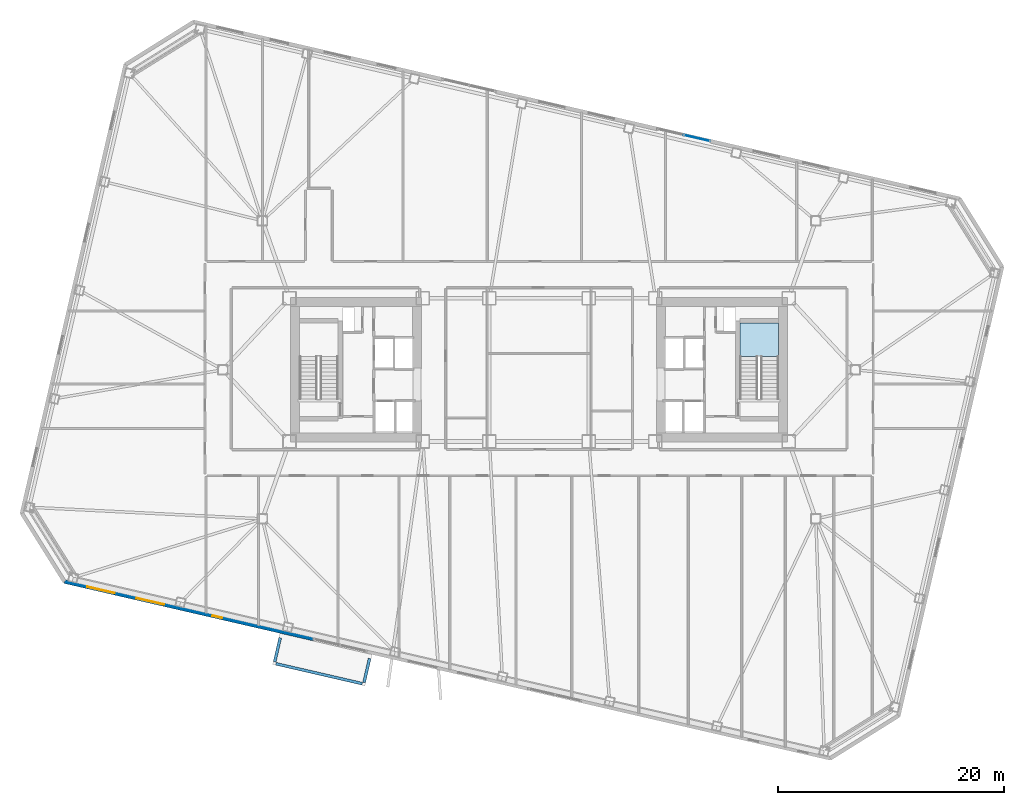
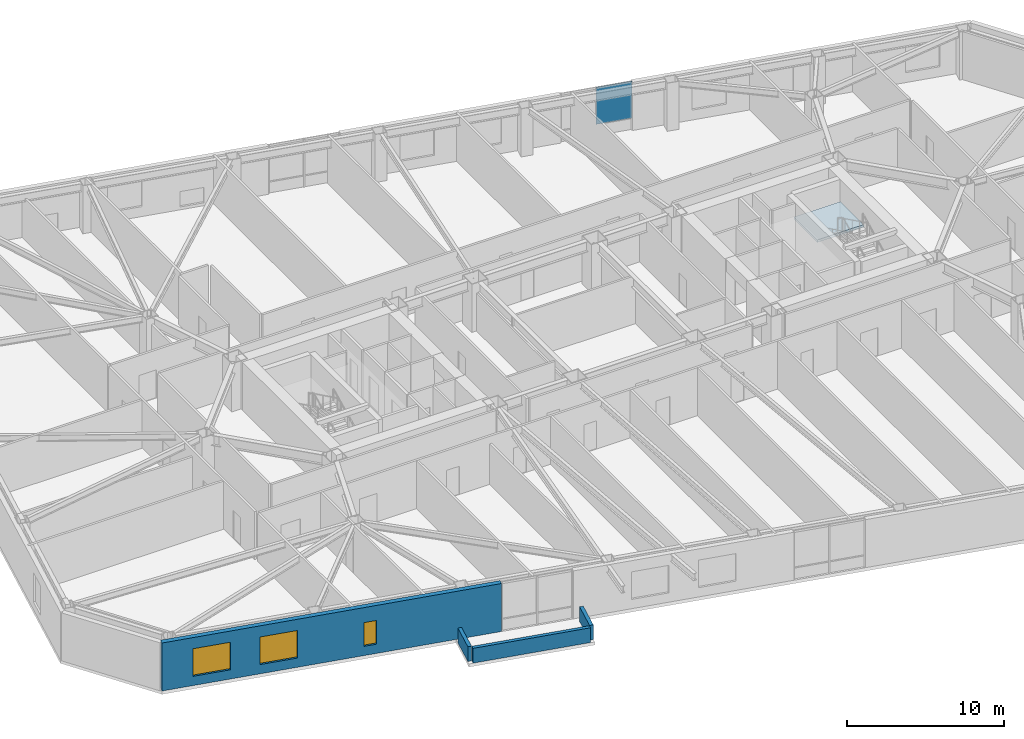
# One storey, part 11 of 22: 4 walls, 3 windows, 1 plate, 1 slab, 3 openings, 2 elements without a shape of their own.
"""IFC4 building model written with IfcOpenShell, lengths in metres."""

from ifc_helpers import new_model, si_unit, direction, frame, frame_2d, origin, origin_2d, place, context, subcontext, project, spatial, polyline, rectangle, outline, extrude, material, layer, layer_set, type_object, element, fill, aggregate, save


model = new_model("IFC4")

# Units and contexts
model_context = context("Model", 3, precision=1e-05, world=origin(), true_north=direction((0.0, 1.0)))
body_context = subcontext(model_context, "Body", "Model", "MODEL_VIEW")
ifc_project = project(units=[si_unit("LENGTHUNIT", "METRE"), si_unit("AREAUNIT", "SQUARE_METRE"), si_unit("VOLUMEUNIT", "CUBIC_METRE"), si_unit("PLANEANGLEUNIT", "RADIAN"), si_unit("MASSUNIT", "GRAM", prefix="KILO")], contexts=[model_context])

# Site, building, storey
site_placement = place(None, origin())
site = spatial("IfcSite", under=ifc_project, at=site_placement, CompositionType="ELEMENT")
building_placement = place(site_placement, origin())
building = spatial("IfcBuilding", under=site, at=building_placement, Name="Tavrogorsk Clinical Tower", CompositionType="ELEMENT")
storey_placement = place(building_placement, frame((0.0, 0.0, 55.39990234375)))
storey = spatial("IfcBuildingStorey", under=building, at=storey_placement, Name="L11", CompositionType="ELEMENT", Elevation=55.39990234375)

# Curtain wall, plate
ifc_material_1 = material(Name="Anodised aluminium and triple IGU glazing", Category="aluminium")
ifc_layer_1 = layer(ifc_material_1, 0.179931640625)
ifc_layer_set_1 = layer_set([ifc_layer_1], Name="Anodised aluminium and triple IGU glazing")
curtain_wall_type = type_object("IfcCurtainWallType", Name="CW2_NorthSlot", PredefinedType="NOTDEFINED", material=ifc_layer_set_1)
curtain_wall_placement = place(storey_placement, origin())
curtain_wall = element("IfcCurtainWall", 1, at=curtain_wall_placement, inside=storey, type_object=curtain_wall_type, Name="L11 Curtain Wall CW-L11-N-SLOT-2", PredefinedType="NOTDEFINED")
ifc_material_2 = material(Name="Triple low-E argon insulated glass", Category="glass")
ifc_layer_2 = layer(ifc_material_2, 0.048095703125)
ifc_layer_set_2 = layer_set([ifc_layer_2], Name="Triple low-E argon insulated glass")
plate_type = type_object("IfcPlateType", Name="CwVisionGlassPanel_48", PredefinedType="CURTAIN_PANEL", material=ifc_layer_set_2)
plate_placement = place(storey_placement, frame((13.996337890625, 20.513427734375, 0.862060546875), z_axis=(0.0, 0.0, 1.0), x_axis=(-0.974370046851, 0.224951132027, 0.0)))
plate = element("IfcPlate", 2, at=plate_placement, type_object=plate_type, Name="CW-L11-N-SLOT-2 Glazing Panel 1", PredefinedType="CURTAIN_PANEL", context=body_context, shape_type="SweptSolid", body=[
    extrude(rectangle(XDim=2.39208984375, YDim=0.048095703125, at=origin_2d()), origin(), (0.0, 0.0, 1.0), 2.8759765625),
])
aggregate(curtain_wall, [plate])

# Stair, slab
ifc_material_3 = material(Name="Concrete B60", Category="concrete")
stair_type = type_object("IfcStairType", Name="CoreStairAssembly", PredefinedType="HALF_TURN_STAIR", material=ifc_material_3)
stair_placement = place(storey_placement, origin())
stair = element("IfcStair", 3, at=stair_placement, inside=storey, type_object=stair_type, Name="L11 ST-E", PredefinedType="HALF_TURN_STAIR")
ifc_material_4 = material(Name="Concrete B60", Category="concrete")
ifc_layer_3 = layer(ifc_material_4, 0.199951171875)
ifc_layer_set_3 = layer_set([ifc_layer_3], Name="Concrete B60")
slab_type = type_object("IfcSlabType", Name="StairLanding_200", PredefinedType="LANDING", material=ifc_layer_set_3)
slab_placement = place(storey_placement, frame((0.0, 0.0, 1.800048828125)))
slab = element("IfcSlab", 4, at=slab_placement, type_object=slab_type, Name="ST-E landing 1", PredefinedType="LANDING", context=body_context, shape_type="SweptSolid", body=[
    extrude(outline(polyline([(21.199951171875, 1.1650390625), (21.199951171875, 4.125), (17.800048828125, 4.125), (17.800048828125, 1.1650390625), (21.199951171875, 1.1650390625)])), origin(), (0.0, 0.0, 1.0), 0.199951171875),
])
aggregate(stair, [slab])

# Wall, openings, windows
ifc_material_5 = material(Name="Precast concrete B45 with limestone cladding", Category="masonry")
ifc_layer_4 = layer(ifc_material_5, 0.340087890625)
ifc_layer_set_4 = layer_set([ifc_layer_4], Name="Precast concrete B45 with limestone cladding")
wall_type_1 = type_object("IfcWallType", Name="PrecastLimestoneWall_340", PredefinedType="STANDARD", material=ifc_layer_set_4)
wall_1_placement = place(storey_placement, frame((-42.028564453125, -18.75, 0.0), z_axis=(0.0, 0.0, 1.0), x_axis=(0.97436993772, -0.224951604723, 0.0)))
wall_1 = element("IfcWall", 5, at=wall_1_placement, inside=storey, type_object=wall_type_1, Name="L11 S Limestone Facade Wall 1", PredefinedType="STANDARD", context=body_context, shape_type="SweptSolid", body=[
    extrude(rectangle(XDim=22.6513671875, YDim=0.340087890625, at=frame_2d((11.32568359375, 0.0))), origin(), (0.0, 0.0, 1.0), 3.739990234375),
])
opening_1_placement = place(wall_1_placement, frame((2.06201171875, 0.0, 0.719970703125)))
opening_1 = element("IfcOpeningElement", 6, at=opening_1_placement, cuts=wall_1, Name="Opening WN-11", PredefinedType="OPENING", context=body_context, shape_type="SweptSolid", body=[
    extrude(rectangle(XDim=2.5, YDim=2.14990234375, at=frame_2d((1.25, 1.074951171875))), frame((0.0, 0.179931640625, 0.0), z_axis=(0.0, -1.0, 0.0), x_axis=(1.0, 0.0, 0.0)), (0.0, 0.0, 1.0), 0.360107421875),
])
opening_2_placement = place(wall_1_placement, frame((6.54638671875, 0.0, 0.719970703125)))
opening_2 = element("IfcOpeningElement", 7, at=opening_2_placement, cuts=wall_1, Name="Opening WN-11", PredefinedType="OPENING", context=body_context, shape_type="SweptSolid", body=[
    extrude(rectangle(XDim=2.5, YDim=2.14990234375, at=frame_2d((1.25, 1.074951171875))), frame((0.0, 0.179931640625, 0.0), z_axis=(0.0, -1.0, 0.0), x_axis=(1.0, 0.0, 0.0)), (0.0, 0.0, 1.0), 0.360107421875),
])
opening_3_placement = place(wall_1_placement, frame((13.460693359375, 0.0, 0.719970703125)))
opening_3 = element("IfcOpeningElement", 8, at=opening_3_placement, cuts=wall_1, Name="Opening WN-06", PredefinedType="OPENING", context=body_context, shape_type="SweptSolid", body=[
    extrude(rectangle(XDim=0.85009765625, YDim=1.85009765625, at=frame_2d((0.425048828125, 0.925048828125))), frame((0.0, 0.179931640625, 0.0), z_axis=(0.0, -1.0, 0.0), x_axis=(1.0, 0.0, 0.0)), (0.0, 0.0, 1.0), 0.360107421875),
])
ifc_material_6 = material(Name="Thermally broken aluminium frame and triple IGU", Category="aluminium")
window_type_1 = type_object("IfcWindowType", Name="MullionSubWin_850x1850", PartitioningType="SINGLE_PANEL", PredefinedType="WINDOW", material=ifc_material_6)
window_1_placement = place(opening_3_placement, origin())
window_1 = element("IfcWindow", 9, at=window_1_placement, inside=storey, type_object=window_type_1, Name="L11 S Mullion Split Window 03B", OverallHeight=1.85009765625, OverallWidth=0.85009765625, PartitioningType="SINGLE_PANEL", PredefinedType="WINDOW", context=body_context, shape_type="SweptSolid", body=[
    extrude(rectangle(XDim=0.85009765625, YDim=1.85009765625, at=frame_2d((0.425048828125, 0.925048828125))), frame((0.0, 0.030029296875, 0.0), z_axis=(0.0, -1.0, 0.0), x_axis=(1.0, 0.0, 0.0)), (0.0, 0.0, 1.0), 0.06005859375),
])
fill(opening_3, window_1)
ifc_material_7 = material(Name="Thermally broken aluminium frame and triple IGU", Category="aluminium")
window_type_2 = type_object("IfcWindowType", Name="StepDownWin_2500x2150", PartitioningType="TRIPLE_PANEL_HORIZONTAL", PredefinedType="WINDOW", material=ifc_material_7)
window_2_placement = place(opening_1_placement, origin())
window_2 = element("IfcWindow", 10, at=window_2_placement, inside=storey, type_object=window_type_2, Name="L11 S Chicago Window 01", OverallHeight=2.14990234375, OverallWidth=2.5, PartitioningType="SINGLE_PANEL", PredefinedType="WINDOW", context=body_context, shape_type="SweptSolid", body=[
    extrude(rectangle(XDim=2.5, YDim=2.14990234375, at=frame_2d((1.25, 1.074951171875))), frame((0.0, 0.030029296875, 0.0), z_axis=(0.0, -1.0, 0.0), x_axis=(1.0, 0.0, 0.0)), (0.0, 0.0, 1.0), 0.06005859375),
])
fill(opening_1, window_2)
window_3_placement = place(opening_2_placement, origin())
window_3 = element("IfcWindow", 11, at=window_3_placement, inside=storey, type_object=window_type_2, Name="L11 S Chicago Window 02", OverallHeight=2.14990234375, OverallWidth=2.5, PartitioningType="SINGLE_PANEL", PredefinedType="WINDOW", context=body_context, shape_type="SweptSolid", body=[
    extrude(rectangle(XDim=2.5, YDim=2.14990234375, at=frame_2d((1.25, 1.074951171875))), frame((0.0, 0.030029296875, 0.0), z_axis=(0.0, -1.0, 0.0), x_axis=(1.0, 0.0, 0.0)), (0.0, 0.0, 1.0), 0.06005859375),
])
fill(opening_2, window_3)

# Walls
ifc_material_8 = material(Name="Concrete B60", Category="concrete")
ifc_layer_5 = layer(ifc_material_8, 0.25)
ifc_layer_set_5 = layer_set([ifc_layer_5], Name="Concrete B60")
wall_type_2 = type_object("IfcWallType", Name="RoofParapetWall_250", PredefinedType="PARAPET", material=ifc_layer_set_5)
wall_2_placement = place(storey_placement, frame((-22.92041015625, -23.736083984375, 0.0), z_axis=(0.0, 0.0, 1.0), x_axis=(-0.224998554752, -0.974359097232, 0.0)))
element("IfcWall", 12, at=wall_2_placement, inside=storey, type_object=wall_type_2, Name="L11 Day-Room Roof Coping Parapet DRB-01-1", PredefinedType="PARAPET", context=body_context, shape_type="SweptSolid", body=[
    extrude(rectangle(XDim=2.179931640625, YDim=0.25, at=frame_2d((1.08984375, 0.0))), origin(), (0.0, 0.0, 1.0), 1.150146484375),
])
wall_3_placement = place(storey_placement, frame((-23.305908203125, -26.028076171875, 0.0), z_axis=(0.0, 0.0, 1.0), x_axis=(0.974367572223, -0.224961850546, 0.0)))
element("IfcWall", 13, at=wall_3_placement, inside=storey, type_object=wall_type_2, Name="L11 Day-Room Roof Coping Parapet DRB-01-2", PredefinedType="PARAPET", context=body_context, shape_type="SweptSolid", body=[
    extrude(rectangle(XDim=7.83984375, YDim=0.25, at=frame_2d((3.919921875, 0.0))), origin(), (0.0, 0.0, 1.0), 1.150146484375),
])
wall_4_placement = place(storey_placement, frame((-15.4990234375, -27.686767578125, 0.0), z_axis=(0.0, 0.0, 1.0), x_axis=(0.224998554752, 0.974359097232, 0.0)))
element("IfcWall", 14, at=wall_4_placement, inside=storey, type_object=wall_type_2, Name="L11 Day-Room Roof Coping Parapet DRB-01-3", PredefinedType="PARAPET", context=body_context, shape_type="SweptSolid", body=[
    extrude(rectangle(XDim=2.179931640625, YDim=0.25, at=frame_2d((1.08984375, 0.0))), origin(), (0.0, 0.0, 1.0), 1.150146484375),
])

save(model, "model.ifc")
